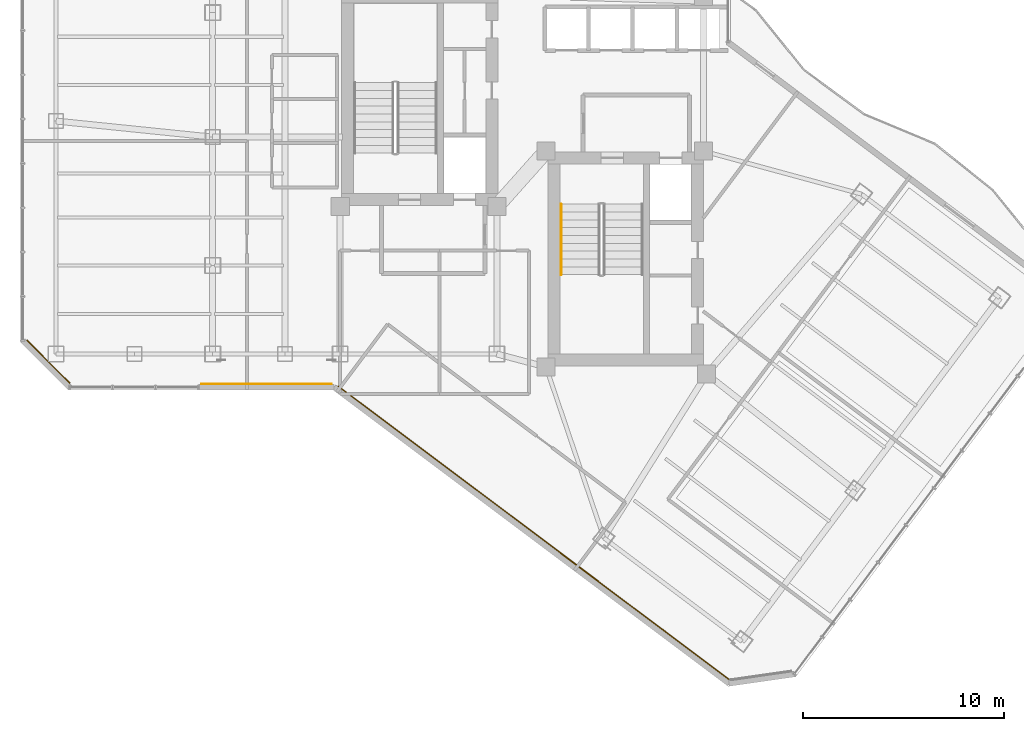
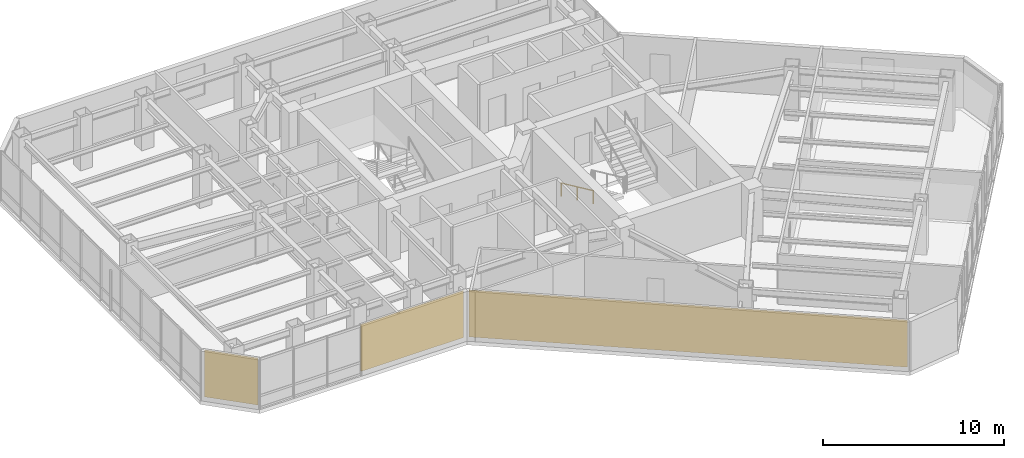
# One storey, part 25 of 27: 3 coverings, 1 railing.
"""IFC4 building model written with IfcOpenShell, lengths in metres."""

from ifc_helpers import new_model, si_unit, direction, frame, origin, origin_2d, place, context, subcontext, project, spatial, rectangle, circle, extrude, material, layer, layer_set, type_object, element, save


model = new_model("IFC4")

# Units and contexts
model_context = context("Model", 3, precision=1e-05, world=origin(), true_north=direction((0.0, 1.0)))
body_context = subcontext(model_context, "Body", "Model", "MODEL_VIEW")
ifc_project = project(units=[si_unit("LENGTHUNIT", "METRE"), si_unit("AREAUNIT", "SQUARE_METRE"), si_unit("VOLUMEUNIT", "CUBIC_METRE"), si_unit("PLANEANGLEUNIT", "RADIAN"), si_unit("MASSUNIT", "GRAM", prefix="KILO")], contexts=[model_context])

# Site, building, storey
site_placement = place(None, origin())
site = spatial("IfcSite", under=ifc_project, at=site_placement, CompositionType="ELEMENT")
building_placement = place(site_placement, origin())
building = spatial("IfcBuilding", under=site, at=building_placement, Name="Hatsunagi Terrace Concourse", CompositionType="ELEMENT")
storey_placement = place(building_placement, frame((0.0, 0.0, 174.449951171875)))
storey = spatial("IfcBuildingStorey", under=building, at=storey_placement, Name="L46", CompositionType="ELEMENT", Elevation=174.449951171875)

# Railing
ifc_material_1 = material(Name="Stainless steel", Category="steel")
ifc_layer_1 = layer(ifc_material_1, 0.044921875)
ifc_layer_set_1 = layer_set([ifc_layer_1], Name="StairPitchHandrail_Tower2000")
railing_type = type_object("IfcRailingType", Name="StairPitchHandrail_Tower2000", PredefinedType="HANDRAIL", material=ifc_layer_set_1)
railing_placement = place(storey_placement, frame((36.550048828125, 32.659912109375, 0.179931640625)))
element("IfcRailing", 1, at=railing_placement, inside=storey, type_object=railing_type, Name="L46 ST-B stair handrail 1", PredefinedType="HANDRAIL", context=body_context, shape_type="SweptSolid", body=[
    extrude(circle(Radius=0.02392578125, at=origin_2d()), frame((0.0, 0.0, 0.8759765625), z_axis=(0.0, -0.907948293929, 0.419082206198), x_axis=(1.0, 0.0, 0.0)), (0.0, 0.0, 1.0), 3.865966796875),
    extrude(circle(Radius=0.02099609375, at=origin_2d()), origin(), (0.0, 0.0, 1.0), 0.851806640625),
    extrude(circle(Radius=0.02099609375, at=origin_2d()), frame((0.0, -1.7548828125, 0.81005859375)), (0.0, 0.0, 1.0), 0.851806640625),
    extrude(circle(Radius=0.02099609375, at=origin_2d()), frame((0.0, -3.510009765625, 1.6201171875)), (0.0, 0.0, 1.0), 0.851806640625),
])

# Coverings
ifc_material_2 = material(Name="Unglazed Warm Terracotta Rainscreen Tile", Category="masonry")
ifc_layer_2 = layer(ifc_material_2, 0.044921875)
ifc_layer_set_2 = layer_set([ifc_layer_2], Name="TerracottaRainscreenCladding_45")
covering_type = type_object("IfcCoveringType", Name="TerracottaRainscreenCladding_45", PredefinedType="CLADDING", material=ifc_layer_set_2)
covering_1_placement = place(storey_placement, frame((35.179931640625, 16.29296875, 0.10009765625), z_axis=(0.0, 0.0, 1.0), x_axis=(-0.800005211305, 0.599993051531, 0.0)))
element("IfcCovering", 2, at=covering_1_placement, inside=storey, type_object=covering_type, Name="Terracotta Rainscreen Cladding L46-05", PredefinedType="CLADDING", context=body_context, shape_type="SweptSolid", body=[
    extrude(rectangle(XDim=24.34912109375, YDim=0.044921875, at=origin_2d()), origin(), (0.0, 0.0, 1.0), 3.14990234375),
])
covering_2_placement = place(storey_placement, frame((21.873046875, 23.701904296875, 0.10009765625), z_axis=(0.0, 0.0, 1.0), x_axis=(-1.0, 0.0, 0.0)))
element("IfcCovering", 3, at=covering_2_placement, inside=storey, type_object=covering_type, Name="Terracotta Rainscreen Cladding L46-06", PredefinedType="CLADDING", context=body_context, shape_type="SweptSolid", body=[
    extrude(rectangle(XDim=6.507080078125, YDim=0.044921875, at=origin_2d()), origin(), (0.0, 0.0, 1.0), 3.14990234375),
])
covering_3_placement = place(storey_placement, frame((11.013916015625, 24.81396484375, 0.10009765625), z_axis=(0.0, 0.0, 1.0), x_axis=(-0.707106781187, 0.707106781187, 0.0)))
element("IfcCovering", 4, at=covering_3_placement, inside=storey, type_object=covering_type, Name="Terracotta Rainscreen Cladding L46-08", PredefinedType="CLADDING", context=body_context, shape_type="SweptSolid", body=[
    extrude(rectangle(XDim=3.0380859375, YDim=0.044921875, at=origin_2d()), origin(), (0.0, 0.0, 1.0), 3.14990234375),
])

save(model, "model.ifc")
